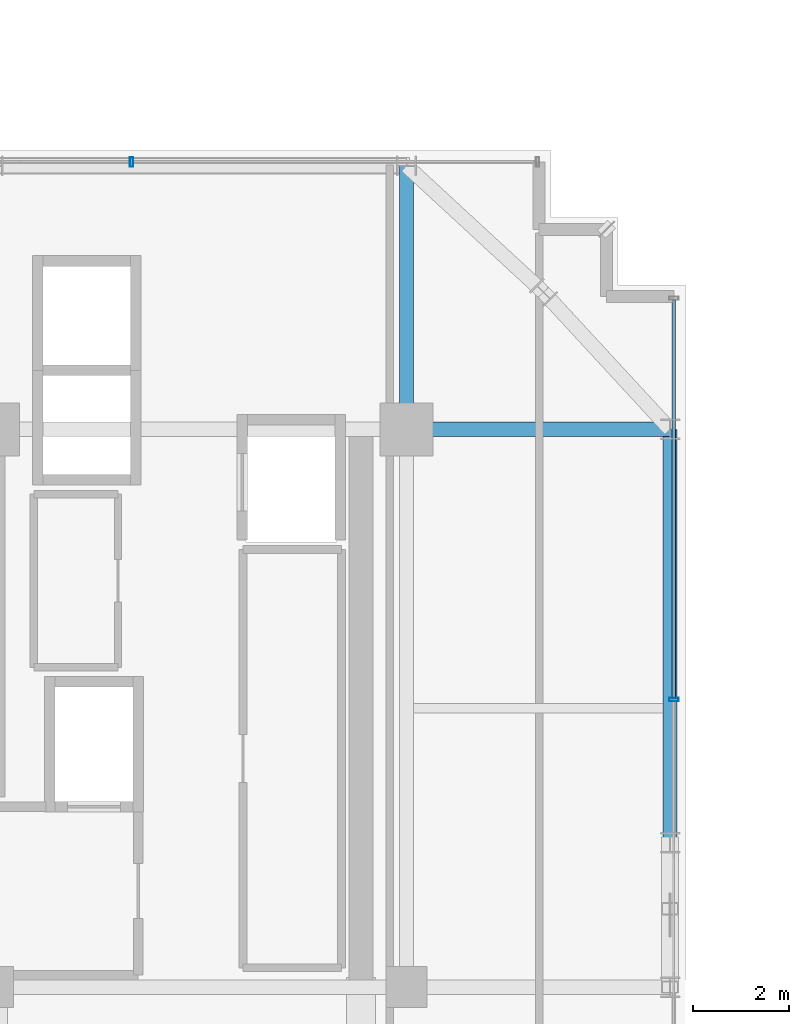
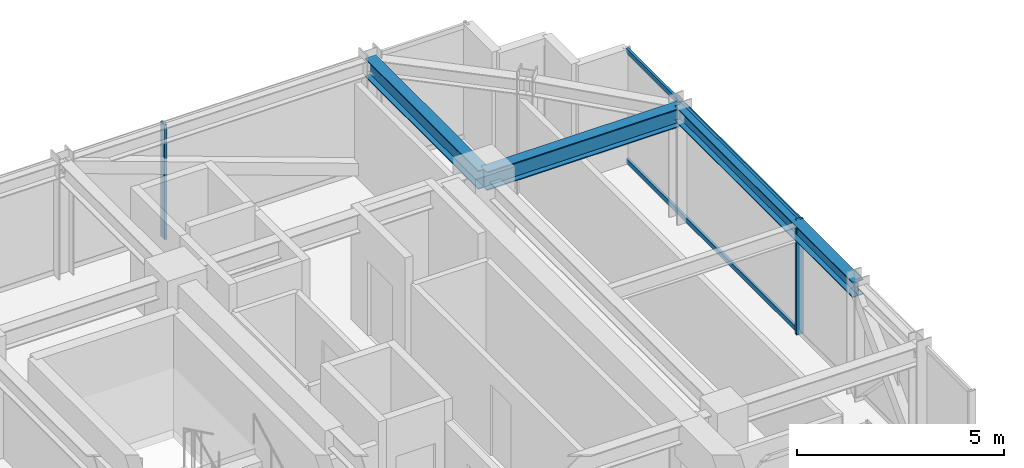
# One storey, part 26 of 41: 4 members, 3 beams, 2 elements without a shape of their own.
"""IFC4 building model written with IfcOpenShell, lengths in metres."""

from ifc_helpers import new_model, si_unit, direction, frame, origin, origin_2d, place, context, subcontext, project, spatial, hollow_rectangle, i_section, extrude, source, transform, mapped, material, material_profile, profile_set, type_object, element, aggregate, save


model = new_model("IFC4")

# Units and contexts
model_context = context("Model", 3, precision=1e-05, world=origin(), true_north=direction((0.0, 1.0)))
body_context = subcontext(model_context, "Body", "Model", "MODEL_VIEW")
ifc_project = project(units=[si_unit("LENGTHUNIT", "METRE"), si_unit("AREAUNIT", "SQUARE_METRE"), si_unit("VOLUMEUNIT", "CUBIC_METRE"), si_unit("PLANEANGLEUNIT", "RADIAN"), si_unit("MASSUNIT", "GRAM", prefix="KILO")], contexts=[model_context])

# Site, building, storey
site_placement = place(None, origin())
site = spatial("IfcSite", under=ifc_project, at=site_placement, CompositionType="ELEMENT")
building_placement = place(site_placement, origin())
building = spatial("IfcBuilding", under=site, at=building_placement, Name="Nahalor Promenade Grand Hotel", CompositionType="ELEMENT")
storey_placement = place(building_placement, frame((0.0, 0.0, 159.949951171875)))
storey = spatial("IfcBuildingStorey", under=building, at=storey_placement, Name="L40", CompositionType="ELEMENT", Elevation=159.949951171875)

# Beams
ifc_material_1 = material(Name="Steel S355JR", Category="steel")
ifc_material_profile_1 = material_profile(ifc_material_1, i_section(OverallWidth=0.3, OverallDepth=0.55, WebThickness=0.015, FlangeThickness=0.029, at=origin_2d()), Name="HEB 550")
ifc_profile_set_1 = profile_set([ifc_material_profile_1], Name="Steel S355JR")
beam_type_1 = type_object("IfcBeamType", Name="Beam-Girder-HEB550", PredefinedType="BEAM", material=ifc_profile_set_1)
shared_shape_1 = source(origin(), body_context, "Body", "SweptSolid", [
    extrude(i_section(OverallWidth=0.3, OverallDepth=0.55, WebThickness=0.015, FlangeThickness=0.029, at=origin_2d()), origin(), (0.0, 0.0, 1.0), 5.47998046875),
])
for number, where, z_axis, x_axis, name in (
    (1, (17.0, 17.0, 3.114990234375), (1.0, 0.0, 0.0), (0.0, 1.0, 0.0), "BM-L40-GX-3-6"),
    (2, (17.0, 17.0, 3.114990234375), (0.0, 1.0, 0.0), (-1.0, 0.0, 0.0), "BM-L40-GY-5-4"),
):
    element("IfcBeam", number, at=place(storey_placement, frame(where, z_axis=z_axis, x_axis=x_axis)), inside=storey, type_object=beam_type_1, Name=name, PredefinedType="BEAM", context=body_context, shape_type="MappedRepresentation", body=[
        mapped(shared_shape_1, transform((0.0, 0.0, 0.0), scale=1.0)),
    ])
ifc_material_profile_2 = material_profile(ifc_material_1, i_section(OverallWidth=0.3, OverallDepth=0.45, WebThickness=0.014, FlangeThickness=0.026, at=origin_2d()), Name="HEB 450")
ifc_profile_set_2 = profile_set([ifc_material_profile_2], Name="Steel S355JR")
beam_type_2 = type_object("IfcBeamType", Name="Beam-Spandrel-HEB450", PredefinedType="SPANDREL", material=ifc_profile_set_2)
shared_shape_2 = source(origin(), body_context, "Body", "SweptSolid", [
    extrude(i_section(OverallWidth=0.3, OverallDepth=0.45, WebThickness=0.014, FlangeThickness=0.026, at=origin_2d()), origin(), (0.0, 0.0, 1.0), 8.60009765625),
])
beam_placement = place(storey_placement, frame((22.47998046875, 8.39990234375, 3.1650390625), z_axis=(0.0, 1.0, 0.0), x_axis=(-1.0, 0.0, 0.0)))
element("IfcBeam", 3, at=beam_placement, inside=storey, type_object=beam_type_2, Name="BM-L40-SP-E-4", PredefinedType="SPANDREL", context=body_context, shape_type="MappedRepresentation", body=[
    mapped(shared_shape_2, transform((0.0, 0.0, 0.0), scale=1.0)),
])

# Curtain wall, member
ifc_material_2 = material(Name="Anodised Bronze Aluminium EN AW-6063 T6", Category="aluminium")
curtain_wall_type = type_object("IfcCurtainWallType", Name="CW3 Elliptical-Void Collar Unitised Curtain Wall", PredefinedType="USERDEFINED", material=ifc_material_2)
curtain_wall_1_placement = place(storey_placement, origin())
curtain_wall_1 = element("IfcCurtainWall", 4, at=curtain_wall_1_placement, inside=storey, type_object=curtain_wall_type, Name="L40 Curtain Wall CW-L40-N-3", ObjectType="UNITISED_CURTAIN_WALL", PredefinedType="USERDEFINED")
ifc_material_profile_3 = material_profile(ifc_material_2, hollow_rectangle(XDim=0.07, YDim=0.2, WallThickness=0.005, at=origin_2d()), Name="CWM 70x200x5")
ifc_profile_set_3 = profile_set([ifc_material_profile_3], Name="Anodised Bronze Aluminium EN AW-6063 T6")
member_type_1 = type_object("IfcMemberType", Name="CWM3 Void Collar Mullion 70x200", PredefinedType="MULLION", material=ifc_profile_set_3)
shared_shape_3 = source(origin(), body_context, "Body", "SweptSolid", [
    extrude(hollow_rectangle(XDim=0.07, YDim=0.2, WallThickness=0.005, at=origin_2d()), origin(), (0.0, 0.0, 1.0), 3.39013671875),
])
member_1_placement = place(storey_placement, frame((11.280029296875, 22.56005859375, 0.0), z_axis=(0.0, 0.0, 1.0), x_axis=(1.0, 0.0, 0.0)))
member_1 = element("IfcMember", 5, at=member_1_placement, type_object=member_type_1, Name="CW-L40-N-3 Mullion 1", PredefinedType="MULLION", context=body_context, shape_type="MappedRepresentation", body=[
    mapped(shared_shape_3, transform((0.0, 0.0, 0.0), scale=1.0)),
])
aggregate(curtain_wall_1, [member_1])

# Curtain wall, members
curtain_wall_2_placement = place(storey_placement, origin())
curtain_wall_2 = element("IfcCurtainWall", 6, at=curtain_wall_2_placement, inside=storey, type_object=curtain_wall_type, Name="L40 Curtain Wall CW-L40-E-4", ObjectType="UNITISED_CURTAIN_WALL", PredefinedType="USERDEFINED")
member_2_placement = place(storey_placement, frame((22.56005859375, 11.37939453125, 0.0), z_axis=(0.0, 0.0, 1.0), x_axis=(0.0, 1.0, 0.0)))
member_2 = element("IfcMember", 7, at=member_2_placement, type_object=member_type_1, Name="CW-L40-E-4 Mullion 1", PredefinedType="MULLION", context=body_context, shape_type="MappedRepresentation", body=[
    mapped(shared_shape_3, transform((0.0, 0.0, 0.0), scale=1.0)),
])
ifc_material_profile_4 = material_profile(ifc_material_2, hollow_rectangle(XDim=0.07, YDim=0.14, WallThickness=0.004, at=origin_2d()), Name="CWT 70x140x4")
ifc_profile_set_4 = profile_set([ifc_material_profile_4], Name="Anodised Bronze Aluminium EN AW-6063 T6")
member_type_2 = type_object("IfcMemberType", Name="CWT3 Void Collar Transom 70x140", PredefinedType="USERDEFINED", material=ifc_profile_set_4)
shared_shape_4 = source(origin(), body_context, "Body", "SweptSolid", [
    extrude(hollow_rectangle(XDim=0.07, YDim=0.14, WallThickness=0.004, at=origin_2d()), origin(), (0.0, 0.0, 1.0), 8.275390625),
])
member_3_placement = place(storey_placement, frame((22.56005859375, 11.41455078125, 0.070068359375), z_axis=(0.0, 1.0, 0.0), x_axis=(-1.0, 0.0, 0.0)))
member_3 = element("IfcMember", 8, at=member_3_placement, type_object=member_type_2, Name="CW-L40-E-4 Transom 1-0", ObjectType="TRANSOM", PredefinedType="USERDEFINED", context=body_context, shape_type="MappedRepresentation", body=[
    mapped(shared_shape_4, transform((0.0, 0.0, 0.0), scale=1.0)),
])
member_4_placement = place(storey_placement, frame((22.56005859375, 11.41455078125, 3.320068359375), z_axis=(0.0, 1.0, 0.0), x_axis=(-1.0, 0.0, 0.0)))
member_4 = element("IfcMember", 9, at=member_4_placement, type_object=member_type_2, Name="CW-L40-E-4 Transom 1-1", ObjectType="TRANSOM", PredefinedType="USERDEFINED", context=body_context, shape_type="MappedRepresentation", body=[
    mapped(shared_shape_4, transform((0.0, 0.0, 0.0), scale=1.0)),
])
aggregate(curtain_wall_2, [member_2, member_3, member_4])

save(model, "model.ifc")
